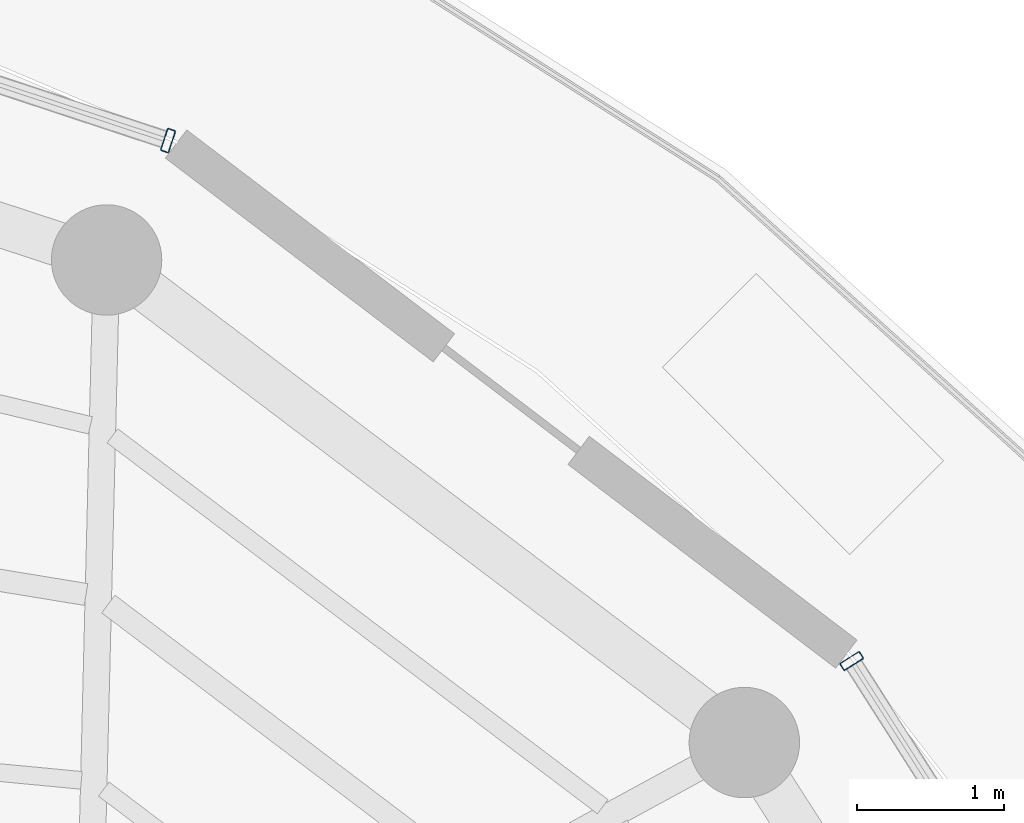
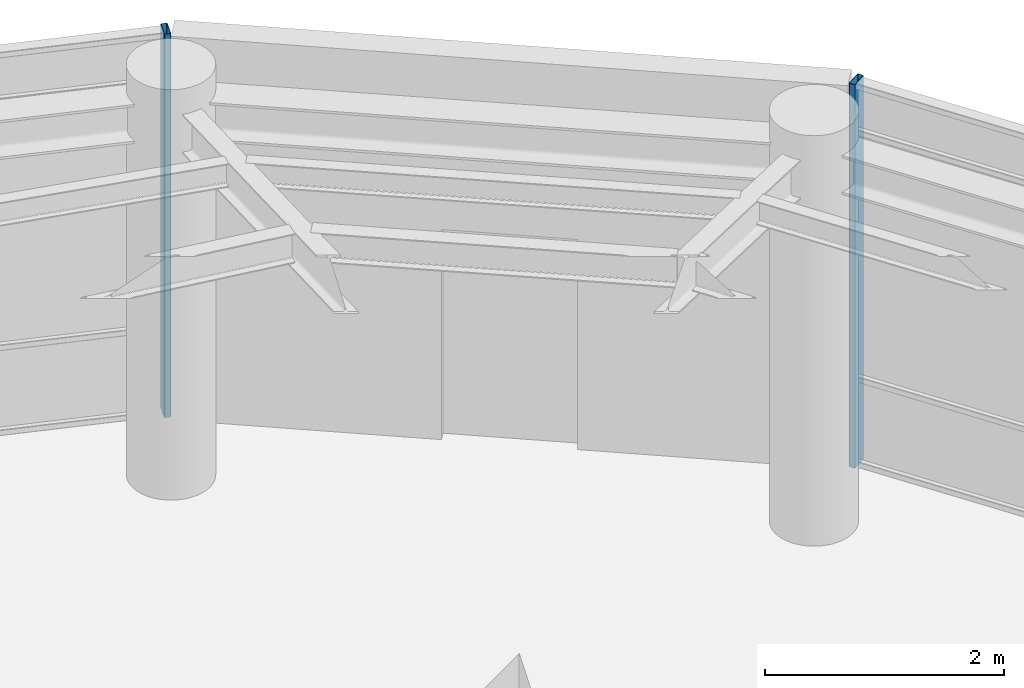
# One storey, part 14 of 20: 2 members, 2 elements without a shape of their own.
"""IFC4 building model written with IfcOpenShell, lengths in metres."""

from ifc_helpers import new_model, si_unit, direction, frame, origin, origin_2d, place, context, subcontext, project, spatial, hollow_rectangle, extrude, material, layer, layer_set, material_profile, profile_set, type_object, element, aggregate, save


model = new_model("IFC4")

# Units and contexts
model_context = context("Model", 3, precision=1e-05, world=origin(), true_north=direction((0.0, 1.0)))
body_context = subcontext(model_context, "Body", "Model", "MODEL_VIEW")
ifc_project = project(units=[si_unit("LENGTHUNIT", "METRE"), si_unit("AREAUNIT", "SQUARE_METRE"), si_unit("VOLUMEUNIT", "CUBIC_METRE"), si_unit("PLANEANGLEUNIT", "RADIAN"), si_unit("MASSUNIT", "GRAM", prefix="KILO")], contexts=[model_context])

# Site, building, storey
site_placement = place(None, origin())
site = spatial("IfcSite", under=ifc_project, at=site_placement, CompositionType="ELEMENT")
building_placement = place(site_placement, origin())
building = spatial("IfcBuilding", under=site, at=building_placement, Name="Kelanora Arch Commons", CompositionType="ELEMENT")
storey_placement = place(building_placement, frame((0.0, 0.0, 298.5)))
storey = spatial("IfcBuildingStorey", under=building, at=storey_placement, Name="L76", CompositionType="ELEMENT", Elevation=298.5)

# Curtain wall, member
ifc_material_1 = material(Name="Terracotta ceramic-fritted low-E glass and aluminium", Category="masonry")
ifc_layer = layer(ifc_material_1, 0.14990234375)
ifc_layer_set = layer_set([ifc_layer], Name="Terracotta ceramic-fritted low-E glass and aluminium")
curtain_wall_type = type_object("IfcCurtainWallType", Name="CW-SYS-06", PredefinedType="NOTDEFINED", material=ifc_layer_set)
curtain_wall_1_placement = place(storey_placement, origin())
curtain_wall_1 = element("IfcCurtainWall", 1, at=curtain_wall_1_placement, inside=storey, type_object=curtain_wall_type, Name="Unitised Curtain Wall L76-B01", PredefinedType="NOTDEFINED")
ifc_material_2 = material(Name="Powder-coated aluminium terracotta", Category="masonry")
ifc_material_profile = material_profile(ifc_material_2, hollow_rectangle(XDim=0.159912109375, YDim=0.06005859375, WallThickness=0.0048828125, InnerFilletRadius=0.0048828125, OuterFilletRadius=0.010009765625, at=origin_2d()), Name="CWM160x60")
ifc_profile_set = profile_set([ifc_material_profile], Name="Powder-coated aluminium terracotta")
member_type = type_object("IfcMemberType", Name="CWM-STD", PredefinedType="MULLION", material=ifc_profile_set)
member_1_placement = place(storey_placement, frame((87.2001953125, 67.989501953125, 0.0), z_axis=(0.0, 0.0, 1.0), x_axis=(-0.84359225554, -0.536984270154, 0.0)))
member_1 = element("IfcMember", 2, at=member_1_placement, type_object=member_type, Name="CW-06 mullion 2", PredefinedType="MULLION", context=body_context, shape_type="SweptSolid", body=[
    extrude(hollow_rectangle(XDim=0.159912109375, YDim=0.06005859375, WallThickness=0.0048828125, InnerFilletRadius=0.0048828125, OuterFilletRadius=0.010009765625, at=origin_2d()), origin(), (0.0, 0.0, 1.0), 3.925048828125),
])
aggregate(curtain_wall_1, [member_1])

curtain_wall_2_placement = place(storey_placement, origin())
curtain_wall_2 = element("IfcCurtainWall", 3, at=curtain_wall_2_placement, inside=storey, type_object=curtain_wall_type, Name="Unitised Curtain Wall L76-B03", PredefinedType="NOTDEFINED")
member_2_placement = place(storey_placement, frame((82.557373046875, 71.524169921875, 0.0), z_axis=(0.0, 0.0, 1.0), x_axis=(-0.313466845323, -0.949599145368, 0.0)))
member_2 = element("IfcMember", 4, at=member_2_placement, type_object=member_type, Name="CW-06 mullion 1", PredefinedType="MULLION", context=body_context, shape_type="SweptSolid", body=[
    extrude(hollow_rectangle(XDim=0.159912109375, YDim=0.06005859375, WallThickness=0.0048828125, InnerFilletRadius=0.0048828125, OuterFilletRadius=0.010009765625, at=origin_2d()), origin(), (0.0, 0.0, 1.0), 3.925048828125),
])
aggregate(curtain_wall_2, [member_2])

save(model, "model.ifc")
